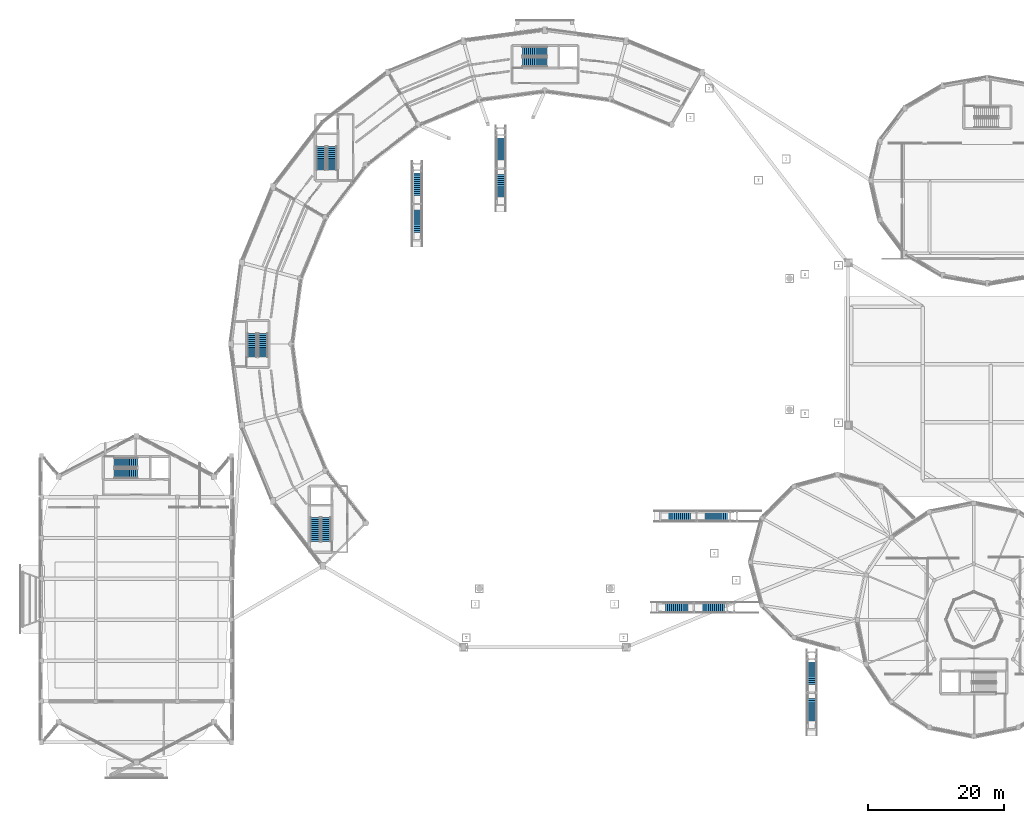
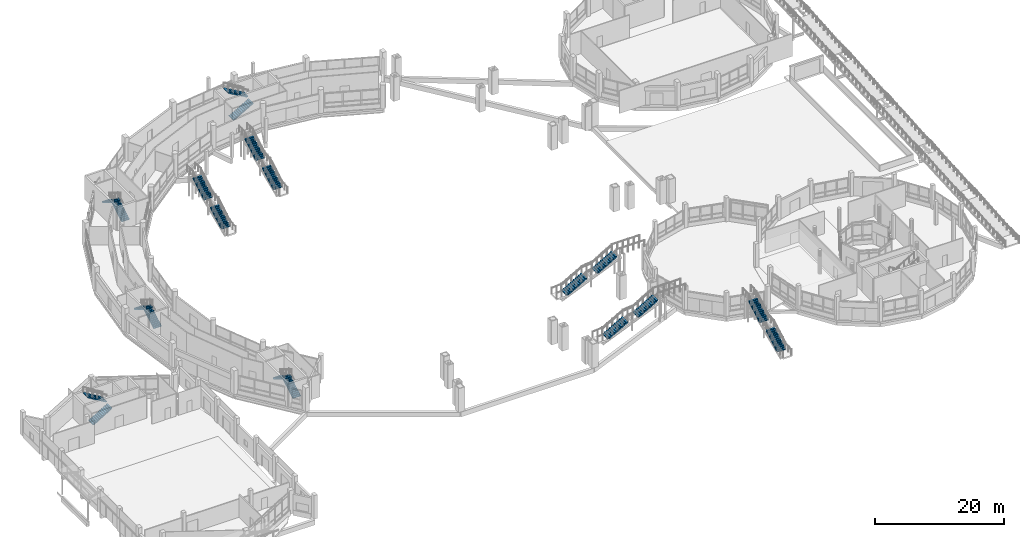
# One storey, part 114 of 129: 20 stair flights, 10 elements without a shape of their own.
"""IFC4 building model written with IfcOpenShell, lengths in metres."""

from ifc_helpers import new_model, si_unit, direction, frame, origin, place, context, subcontext, project, spatial, polyline, outline, extrude, material, type_object, element, aggregate, save


model = new_model("IFC4")

# Units and contexts
model_context = context("Model", 3, precision=1e-05, world=origin(), true_north=direction((0.0, 1.0)))
body_context = subcontext(model_context, "Body", "Model", "MODEL_VIEW")
ifc_project = project(units=[si_unit("LENGTHUNIT", "METRE"), si_unit("AREAUNIT", "SQUARE_METRE"), si_unit("VOLUMEUNIT", "CUBIC_METRE"), si_unit("PLANEANGLEUNIT", "RADIAN"), si_unit("MASSUNIT", "GRAM", prefix="KILO")], contexts=[model_context])

# Site, building, storey
site_placement = place(None, origin())
site = spatial("IfcSite", under=ifc_project, at=site_placement, CompositionType="ELEMENT")
building_placement = place(site_placement, origin())
building = spatial("IfcBuilding", under=site, at=building_placement, Name="Vespera Passage Community Centre", CompositionType="ELEMENT")
storey_placement = place(building_placement, origin())
storey = spatial("IfcBuildingStorey", under=building, at=storey_placement, Name="L00", CompositionType="ELEMENT", Elevation=0.0)

# Stair, stair flights
ifc_material_1 = material(Name="Concrete f'c 35 MPa", Category="concrete")
stair_type_1 = type_object("IfcStairType", Name="ST-STR-155", PredefinedType="STRAIGHT_RUN_STAIR", material=ifc_material_1)
stair_1_placement = place(storey_placement, origin())
stair_1 = element("IfcStair", 1, at=stair_1_placement, inside=storey, type_object=stair_type_1, Name="Courtyard Feature Stair ST-CRT-03", PredefinedType="STRAIGHT_RUN_STAIR")
ifc_material_2 = material(Name="Concrete f'c 35 MPa", Category="concrete")
stair_flight_type_1 = type_object("IfcStairFlightType", Name="STF-STR-155", PredefinedType="STRAIGHT", material=ifc_material_2)
stair_flight_1_placement = place(storey_placement, frame((71.5, 86.800048828125, 0.0), z_axis=(0.0, 0.0, 1.0), x_axis=(0.0, 1.0, 0.0)))
stair_flight_1 = element("IfcStairFlight", 2, at=stair_flight_1_placement, type_object=stair_flight_type_1, Name="ST-STR-155 flight 1", NumberOfRisers=13, NumberOfTreads=12, PredefinedType="STRAIGHT", RiserHeight=0.173076923, TreadLength=0.3, context=body_context, shape_type="SweptSolid", body=[
    extrude(outline(polyline([(0.0, 0.0), (0.0, 0.173095703125), (0.300048828125, 0.173095703125), (0.300048828125, 0.34619140625), (0.60009765625, 0.34619140625), (0.60009765625, 0.519287109375), (0.89990234375, 0.519287109375), (0.89990234375, 0.6923828125), (1.199951171875, 0.6923828125), (1.199951171875, 0.865478515625), (1.5, 0.865478515625), (1.5, 1.03857421875), (1.800048828125, 1.03857421875), (1.800048828125, 1.21142578125), (2.10009765625, 1.21142578125), (2.10009765625, 1.384521484375), (2.39990234375, 1.384521484375), (2.39990234375, 1.5576171875), (2.699951171875, 1.5576171875), (2.699951171875, 1.730712890625), (3.0, 1.730712890625), (3.0, 1.90380859375), (3.300048828125, 1.90380859375), (3.300048828125, 2.076904296875), (3.60009765625, 2.076904296875), (3.60009765625, 2.25), (3.60009765625, 1.869140625), (0.360107421875, 0.0), (0.0, 0.0)])), frame((0.0, 0.77490234375, 0.0), z_axis=(0.0, -1.0, 0.0), x_axis=(1.0, 0.0, 0.0)), (0.0, 0.0, 1.0), 1.550048828125),
])
stair_flight_2_placement = place(storey_placement, frame((71.5, 92.199951171875, 2.25), z_axis=(0.0, 0.0, 1.0), x_axis=(0.0, 1.0, 0.0)))
stair_flight_2 = element("IfcStairFlight", 3, at=stair_flight_2_placement, type_object=stair_flight_type_1, Name="ST-STR-155 flight 2", NumberOfRisers=13, NumberOfTreads=12, PredefinedType="STRAIGHT", RiserHeight=0.173076923, TreadLength=0.3, context=body_context, shape_type="SweptSolid", body=[
    extrude(outline(polyline([(0.0, 0.0), (0.0, 0.173095703125), (0.300048828125, 0.173095703125), (0.300048828125, 0.34619140625), (0.60009765625, 0.34619140625), (0.60009765625, 0.519287109375), (0.89990234375, 0.519287109375), (0.89990234375, 0.6923828125), (1.199951171875, 0.6923828125), (1.199951171875, 0.865478515625), (1.5, 0.865478515625), (1.5, 1.03857421875), (1.800048828125, 1.03857421875), (1.800048828125, 1.21142578125), (2.10009765625, 1.21142578125), (2.10009765625, 1.384521484375), (2.39990234375, 1.384521484375), (2.39990234375, 1.5576171875), (2.699951171875, 1.5576171875), (2.699951171875, 1.730712890625), (3.0, 1.730712890625), (3.0, 1.90380859375), (3.300048828125, 1.90380859375), (3.300048828125, 2.076904296875), (3.60009765625, 2.076904296875), (3.60009765625, 2.25), (3.60009765625, 1.869140625), (0.360107421875, 0.0), (0.0, 0.0)])), frame((0.0, 0.77490234375, 0.0), z_axis=(0.0, -1.0, 0.0), x_axis=(1.0, 0.0, 0.0)), (0.0, 0.0, 1.0), 1.550048828125),
])
aggregate(stair_1, [stair_flight_1, stair_flight_2])

stair_2_placement = place(storey_placement, origin())
stair_2 = element("IfcStair", 4, at=stair_2_placement, inside=storey, type_object=stair_type_1, Name="Courtyard Feature Stair ST-CRT-04", PredefinedType="STRAIGHT_RUN_STAIR")
stair_flight_3_placement = place(storey_placement, frame((59.199951171875, 81.60009765625, 0.0), z_axis=(0.0, 0.0, 1.0), x_axis=(0.0, 1.0, 0.0)))
stair_flight_3 = element("IfcStairFlight", 5, at=stair_flight_3_placement, type_object=stair_flight_type_1, Name="ST-STR-155 flight 1", NumberOfRisers=13, NumberOfTreads=12, PredefinedType="STRAIGHT", RiserHeight=0.173076923, TreadLength=0.3, context=body_context, shape_type="SweptSolid", body=[
    extrude(outline(polyline([(0.0, 0.0), (0.0, 0.173095703125), (0.300048828125, 0.173095703125), (0.300048828125, 0.34619140625), (0.60009765625, 0.34619140625), (0.60009765625, 0.519287109375), (0.89990234375, 0.519287109375), (0.89990234375, 0.6923828125), (1.199951171875, 0.6923828125), (1.199951171875, 0.865478515625), (1.5, 0.865478515625), (1.5, 1.03857421875), (1.800048828125, 1.03857421875), (1.800048828125, 1.21142578125), (2.10009765625, 1.21142578125), (2.10009765625, 1.384521484375), (2.39990234375, 1.384521484375), (2.39990234375, 1.5576171875), (2.699951171875, 1.5576171875), (2.699951171875, 1.730712890625), (3.0, 1.730712890625), (3.0, 1.90380859375), (3.300048828125, 1.90380859375), (3.300048828125, 2.076904296875), (3.60009765625, 2.076904296875), (3.60009765625, 2.25), (3.60009765625, 1.869140625), (0.360107421875, 0.0), (0.0, 0.0)])), frame((0.0, 0.77490234375, 0.0), z_axis=(0.0, -1.0, 0.0), x_axis=(1.0, 0.0, 0.0)), (0.0, 0.0, 1.0), 1.550048828125),
])
stair_flight_4_placement = place(storey_placement, frame((59.199951171875, 87.0, 2.25), z_axis=(0.0, 0.0, 1.0), x_axis=(0.0, 1.0, 0.0)))
stair_flight_4 = element("IfcStairFlight", 6, at=stair_flight_4_placement, type_object=stair_flight_type_1, Name="ST-STR-155 flight 2", NumberOfRisers=13, NumberOfTreads=12, PredefinedType="STRAIGHT", RiserHeight=0.173076923, TreadLength=0.3, context=body_context, shape_type="SweptSolid", body=[
    extrude(outline(polyline([(0.0, 0.0), (0.0, 0.173095703125), (0.300048828125, 0.173095703125), (0.300048828125, 0.34619140625), (0.60009765625, 0.34619140625), (0.60009765625, 0.519287109375), (0.89990234375, 0.519287109375), (0.89990234375, 0.6923828125), (1.199951171875, 0.6923828125), (1.199951171875, 0.865478515625), (1.5, 0.865478515625), (1.5, 1.03857421875), (1.800048828125, 1.03857421875), (1.800048828125, 1.21142578125), (2.10009765625, 1.21142578125), (2.10009765625, 1.384521484375), (2.39990234375, 1.384521484375), (2.39990234375, 1.5576171875), (2.699951171875, 1.5576171875), (2.699951171875, 1.730712890625), (3.0, 1.730712890625), (3.0, 1.90380859375), (3.300048828125, 1.90380859375), (3.300048828125, 2.076904296875), (3.60009765625, 2.076904296875), (3.60009765625, 2.25), (3.60009765625, 1.869140625), (0.360107421875, 0.0), (0.0, 0.0)])), frame((0.0, 0.77490234375, 0.0), z_axis=(0.0, -1.0, 0.0), x_axis=(1.0, 0.0, 0.0)), (0.0, 0.0, 1.0), 1.550048828125),
])
aggregate(stair_2, [stair_flight_3, stair_flight_4])

stair_3_placement = place(storey_placement, origin())
stair_3 = element("IfcStair", 7, at=stair_3_placement, inside=storey, type_object=stair_type_1, Name="Courtyard Feature Stair ST-CRT-05", PredefinedType="STRAIGHT_RUN_STAIR")
stair_flight_5_placement = place(storey_placement, frame((117.199951171875, 9.800048828125, 0.0), z_axis=(0.0, 0.0, 1.0), x_axis=(0.0, 1.0, 0.0)))
stair_flight_5 = element("IfcStairFlight", 8, at=stair_flight_5_placement, type_object=stair_flight_type_1, Name="ST-STR-155 flight 1", NumberOfRisers=13, NumberOfTreads=12, PredefinedType="STRAIGHT", RiserHeight=0.173076923, TreadLength=0.3, context=body_context, shape_type="SweptSolid", body=[
    extrude(outline(polyline([(0.0, 0.0), (0.0, 0.173095703125), (0.300048828125, 0.173095703125), (0.300048828125, 0.34619140625), (0.60009765625, 0.34619140625), (0.60009765625, 0.519287109375), (0.89990234375, 0.519287109375), (0.89990234375, 0.6923828125), (1.199951171875, 0.6923828125), (1.199951171875, 0.865478515625), (1.5, 0.865478515625), (1.5, 1.03857421875), (1.800048828125, 1.03857421875), (1.800048828125, 1.21142578125), (2.10009765625, 1.21142578125), (2.10009765625, 1.384521484375), (2.39990234375, 1.384521484375), (2.39990234375, 1.5576171875), (2.699951171875, 1.5576171875), (2.699951171875, 1.730712890625), (3.0, 1.730712890625), (3.0, 1.90380859375), (3.300048828125, 1.90380859375), (3.300048828125, 2.076904296875), (3.60009765625, 2.076904296875), (3.60009765625, 2.25), (3.60009765625, 1.869140625), (0.360107421875, 0.0), (0.0, 0.0)])), frame((0.0, 0.77490234375, 0.0), z_axis=(0.0, -1.0, 0.0), x_axis=(1.0, 0.0, 0.0)), (0.0, 0.0, 1.0), 1.550048828125),
])
stair_flight_6_placement = place(storey_placement, frame((117.199951171875, 15.199951171875, 2.25), z_axis=(0.0, 0.0, 1.0), x_axis=(0.0, 1.0, 0.0)))
stair_flight_6 = element("IfcStairFlight", 9, at=stair_flight_6_placement, type_object=stair_flight_type_1, Name="ST-STR-155 flight 2", NumberOfRisers=13, NumberOfTreads=12, PredefinedType="STRAIGHT", RiserHeight=0.173076923, TreadLength=0.3, context=body_context, shape_type="SweptSolid", body=[
    extrude(outline(polyline([(0.0, 0.0), (0.0, 0.173095703125), (0.300048828125, 0.173095703125), (0.300048828125, 0.34619140625), (0.60009765625, 0.34619140625), (0.60009765625, 0.519287109375), (0.89990234375, 0.519287109375), (0.89990234375, 0.6923828125), (1.199951171875, 0.6923828125), (1.199951171875, 0.865478515625), (1.5, 0.865478515625), (1.5, 1.03857421875), (1.800048828125, 1.03857421875), (1.800048828125, 1.21142578125), (2.10009765625, 1.21142578125), (2.10009765625, 1.384521484375), (2.39990234375, 1.384521484375), (2.39990234375, 1.5576171875), (2.699951171875, 1.5576171875), (2.699951171875, 1.730712890625), (3.0, 1.730712890625), (3.0, 1.90380859375), (3.300048828125, 1.90380859375), (3.300048828125, 2.076904296875), (3.60009765625, 2.076904296875), (3.60009765625, 2.25), (3.60009765625, 1.869140625), (0.360107421875, 0.0), (0.0, 0.0)])), frame((0.0, 0.77490234375, 0.0), z_axis=(0.0, -1.0, 0.0), x_axis=(1.0, 0.0, 0.0)), (0.0, 0.0, 1.0), 1.550048828125),
])
aggregate(stair_3, [stair_flight_5, stair_flight_6])

ifc_material_3 = material(Name="Concrete f'c 35 MPa", Category="concrete")
stair_type_2 = type_object("IfcStairType", Name="ST-STR-165", PredefinedType="STRAIGHT_RUN_STAIR", material=ifc_material_3)
stair_4_placement = place(storey_placement, origin())
stair_4 = element("IfcStair", 10, at=stair_4_placement, inside=storey, type_object=stair_type_2, Name="Courtyard Feature Stair ST-CRT-01", PredefinedType="STRAIGHT_RUN_STAIR")
ifc_material_4 = material(Name="Concrete f'c 35 MPa", Category="concrete")
stair_flight_type_2 = type_object("IfcStairFlightType", Name="STF-STR-165", PredefinedType="STRAIGHT", material=ifc_material_4)
stair_flight_7_placement = place(storey_placement, frame((95.39990234375, 26.800048828125, 0.0), z_axis=(0.0, 0.0, 1.0), x_axis=(1.0, 0.0, 0.0)))
stair_flight_7 = element("IfcStairFlight", 11, at=stair_flight_7_placement, type_object=stair_flight_type_2, Name="ST-STR-165 flight 1", NumberOfRisers=13, NumberOfTreads=12, PredefinedType="STRAIGHT", RiserHeight=0.173076923, TreadLength=0.3, context=body_context, shape_type="SweptSolid", body=[
    extrude(outline(polyline([(0.0, 0.0), (0.0, 0.173095703125), (0.300048828125, 0.173095703125), (0.300048828125, 0.34619140625), (0.60009765625, 0.34619140625), (0.60009765625, 0.519287109375), (0.89990234375, 0.519287109375), (0.89990234375, 0.6923828125), (1.199951171875, 0.6923828125), (1.199951171875, 0.865478515625), (1.5, 0.865478515625), (1.5, 1.03857421875), (1.800048828125, 1.03857421875), (1.800048828125, 1.21142578125), (2.10009765625, 1.21142578125), (2.10009765625, 1.384521484375), (2.39990234375, 1.384521484375), (2.39990234375, 1.5576171875), (2.699951171875, 1.5576171875), (2.699951171875, 1.730712890625), (3.0, 1.730712890625), (3.0, 1.90380859375), (3.300048828125, 1.90380859375), (3.300048828125, 2.076904296875), (3.60009765625, 2.076904296875), (3.60009765625, 2.25), (3.60009765625, 1.869140625), (0.360107421875, 0.0), (0.0, 0.0)])), frame((0.0, 0.824951171875, 0.0), z_axis=(0.0, -1.0, 0.0), x_axis=(1.0, 0.0, 0.0)), (0.0, 0.0, 1.0), 1.64990234375),
])
stair_flight_8_placement = place(storey_placement, frame((100.800048828125, 26.800048828125, 2.25), z_axis=(0.0, 0.0, 1.0), x_axis=(1.0, 0.0, 0.0)))
stair_flight_8 = element("IfcStairFlight", 12, at=stair_flight_8_placement, type_object=stair_flight_type_2, Name="ST-STR-165 flight 2", NumberOfRisers=13, NumberOfTreads=12, PredefinedType="STRAIGHT", RiserHeight=0.173076923, TreadLength=0.3, context=body_context, shape_type="SweptSolid", body=[
    extrude(outline(polyline([(0.0, 0.0), (0.0, 0.173095703125), (0.300048828125, 0.173095703125), (0.300048828125, 0.34619140625), (0.60009765625, 0.34619140625), (0.60009765625, 0.519287109375), (0.89990234375, 0.519287109375), (0.89990234375, 0.6923828125), (1.199951171875, 0.6923828125), (1.199951171875, 0.865478515625), (1.5, 0.865478515625), (1.5, 1.03857421875), (1.800048828125, 1.03857421875), (1.800048828125, 1.21142578125), (2.10009765625, 1.21142578125), (2.10009765625, 1.384521484375), (2.39990234375, 1.384521484375), (2.39990234375, 1.5576171875), (2.699951171875, 1.5576171875), (2.699951171875, 1.730712890625), (3.0, 1.730712890625), (3.0, 1.90380859375), (3.300048828125, 1.90380859375), (3.300048828125, 2.076904296875), (3.60009765625, 2.076904296875), (3.60009765625, 2.25), (3.60009765625, 1.869140625), (0.360107421875, 0.0), (0.0, 0.0)])), frame((0.0, 0.824951171875, 0.0), z_axis=(0.0, -1.0, 0.0), x_axis=(1.0, 0.0, 0.0)), (0.0, 0.0, 1.0), 1.64990234375),
])
aggregate(stair_4, [stair_flight_7, stair_flight_8])

stair_5_placement = place(storey_placement, origin())
stair_5 = element("IfcStair", 13, at=stair_5_placement, inside=storey, type_object=stair_type_2, Name="Courtyard Feature Stair ST-CRT-02", PredefinedType="STRAIGHT_RUN_STAIR")
stair_flight_9_placement = place(storey_placement, frame((95.800048828125, 40.199951171875, 0.0), z_axis=(0.0, 0.0, 1.0), x_axis=(1.0, 0.0, 0.0)))
stair_flight_9 = element("IfcStairFlight", 14, at=stair_flight_9_placement, type_object=stair_flight_type_2, Name="ST-STR-165 flight 1", NumberOfRisers=13, NumberOfTreads=12, PredefinedType="STRAIGHT", RiserHeight=0.173076923, TreadLength=0.3, context=body_context, shape_type="SweptSolid", body=[
    extrude(outline(polyline([(0.0, 0.0), (0.0, 0.173095703125), (0.300048828125, 0.173095703125), (0.300048828125, 0.34619140625), (0.60009765625, 0.34619140625), (0.60009765625, 0.519287109375), (0.89990234375, 0.519287109375), (0.89990234375, 0.6923828125), (1.199951171875, 0.6923828125), (1.199951171875, 0.865478515625), (1.5, 0.865478515625), (1.5, 1.03857421875), (1.800048828125, 1.03857421875), (1.800048828125, 1.21142578125), (2.10009765625, 1.21142578125), (2.10009765625, 1.384521484375), (2.39990234375, 1.384521484375), (2.39990234375, 1.5576171875), (2.699951171875, 1.5576171875), (2.699951171875, 1.730712890625), (3.0, 1.730712890625), (3.0, 1.90380859375), (3.300048828125, 1.90380859375), (3.300048828125, 2.076904296875), (3.60009765625, 2.076904296875), (3.60009765625, 2.25), (3.60009765625, 1.869140625), (0.360107421875, 0.0), (0.0, 0.0)])), frame((0.0, 0.824951171875, 0.0), z_axis=(0.0, -1.0, 0.0), x_axis=(1.0, 0.0, 0.0)), (0.0, 0.0, 1.0), 1.64990234375),
])
stair_flight_10_placement = place(storey_placement, frame((101.199951171875, 40.199951171875, 2.25), z_axis=(0.0, 0.0, 1.0), x_axis=(1.0, 0.0, 0.0)))
stair_flight_10 = element("IfcStairFlight", 15, at=stair_flight_10_placement, type_object=stair_flight_type_2, Name="ST-STR-165 flight 2", NumberOfRisers=13, NumberOfTreads=12, PredefinedType="STRAIGHT", RiserHeight=0.173076923, TreadLength=0.3, context=body_context, shape_type="SweptSolid", body=[
    extrude(outline(polyline([(0.0, 0.0), (0.0, 0.173095703125), (0.300048828125, 0.173095703125), (0.300048828125, 0.34619140625), (0.60009765625, 0.34619140625), (0.60009765625, 0.519287109375), (0.89990234375, 0.519287109375), (0.89990234375, 0.6923828125), (1.199951171875, 0.6923828125), (1.199951171875, 0.865478515625), (1.5, 0.865478515625), (1.5, 1.03857421875), (1.800048828125, 1.03857421875), (1.800048828125, 1.21142578125), (2.10009765625, 1.21142578125), (2.10009765625, 1.384521484375), (2.39990234375, 1.384521484375), (2.39990234375, 1.5576171875), (2.699951171875, 1.5576171875), (2.699951171875, 1.730712890625), (3.0, 1.730712890625), (3.0, 1.90380859375), (3.300048828125, 1.90380859375), (3.300048828125, 2.076904296875), (3.60009765625, 2.076904296875), (3.60009765625, 2.25), (3.60009765625, 1.869140625), (0.360107421875, 0.0), (0.0, 0.0)])), frame((0.0, 0.824951171875, 0.0), z_axis=(0.0, -1.0, 0.0), x_axis=(1.0, 0.0, 0.0)), (0.0, 0.0, 1.0), 1.64990234375),
])
aggregate(stair_5, [stair_flight_9, stair_flight_10])

ifc_material_5 = material(Name="Concrete f'c 35 MPa", Category="concrete")
stair_type_3 = type_object("IfcStairType", Name="ST-T02", PredefinedType="HALF_TURN_STAIR", material=ifc_material_5)
stair_6_placement = place(storey_placement, origin())
stair_6 = element("IfcStair", 16, at=stair_6_placement, inside=storey, type_object=stair_type_3, Name="L00 Core C1 Exit Stair ST03", PredefinedType="HALF_TURN_STAIR")
ifc_material_6 = material(Name="Concrete f'c 35 MPa", Category="concrete")
stair_flight_type_3 = type_object("IfcStairFlightType", Name="STF-T02", PredefinedType="STRAIGHT", material=ifc_material_6)
stair_flight_11_placement = place(storey_placement, frame((46.73291015625, 91.077880859375, 0.0), z_axis=(0.0, 0.0, 1.0), x_axis=(0.0, 1.0, 0.0)))
stair_flight_11 = element("IfcStairFlight", 17, at=stair_flight_11_placement, type_object=stair_flight_type_3, Name="ST03 flight 1", NumberOfRisers=13, NumberOfTreads=12, PredefinedType="STRAIGHT", RiserHeight=0.173076923, TreadLength=0.285, context=body_context, shape_type="SweptSolid", body=[
    extrude(outline(polyline([(0.0, 0.0), (0.0, 0.173095703125), (0.284912109375, 0.173095703125), (0.284912109375, 0.34619140625), (0.570068359375, 0.34619140625), (0.570068359375, 0.519287109375), (0.85498046875, 0.519287109375), (0.85498046875, 0.6923828125), (1.139892578125, 0.6923828125), (1.139892578125, 0.865478515625), (1.425048828125, 0.865478515625), (1.425048828125, 1.03857421875), (1.7099609375, 1.03857421875), (1.7099609375, 1.21142578125), (1.9951171875, 1.21142578125), (1.9951171875, 1.384521484375), (2.280029296875, 1.384521484375), (2.280029296875, 1.5576171875), (2.56494140625, 1.5576171875), (2.56494140625, 1.730712890625), (2.85009765625, 1.730712890625), (2.85009765625, 1.90380859375), (3.135009765625, 1.90380859375), (3.135009765625, 2.076904296875), (3.419921875, 2.076904296875), (3.419921875, 2.25), (3.419921875, 1.901611328125), (0.288818359375, 0.0), (0.0, 0.0)])), frame((0.0, 0.699951171875, 0.0), z_axis=(0.0, -1.0, 0.0), x_axis=(1.0, 0.0, 0.0)), (0.0, 0.0, 1.0), 1.39990234375),
])
stair_flight_12_placement = place(storey_placement, frame((45.133056640625, 94.498046875, 2.25), z_axis=(0.0, 0.0, 1.0), x_axis=(0.0, -1.0, 0.0)))
stair_flight_12 = element("IfcStairFlight", 18, at=stair_flight_12_placement, type_object=stair_flight_type_3, Name="ST03 flight 2", NumberOfRisers=13, NumberOfTreads=12, PredefinedType="STRAIGHT", RiserHeight=0.173076923, TreadLength=0.285, context=body_context, shape_type="SweptSolid", body=[
    extrude(outline(polyline([(0.0, 0.0), (0.0, 0.173095703125), (0.284912109375, 0.173095703125), (0.284912109375, 0.34619140625), (0.570068359375, 0.34619140625), (0.570068359375, 0.519287109375), (0.85498046875, 0.519287109375), (0.85498046875, 0.6923828125), (1.139892578125, 0.6923828125), (1.139892578125, 0.865478515625), (1.425048828125, 0.865478515625), (1.425048828125, 1.03857421875), (1.7099609375, 1.03857421875), (1.7099609375, 1.21142578125), (1.9951171875, 1.21142578125), (1.9951171875, 1.384521484375), (2.280029296875, 1.384521484375), (2.280029296875, 1.5576171875), (2.56494140625, 1.5576171875), (2.56494140625, 1.730712890625), (2.85009765625, 1.730712890625), (2.85009765625, 1.90380859375), (3.135009765625, 1.90380859375), (3.135009765625, 2.076904296875), (3.419921875, 2.076904296875), (3.419921875, 2.25), (3.419921875, 1.901611328125), (0.288818359375, 0.0), (0.0, 0.0)])), frame((0.0, 0.699951171875, 0.0), z_axis=(0.0, -1.0, 0.0), x_axis=(1.0, 0.0, 0.0)), (0.0, 0.0, 1.0), 1.39990234375),
])
aggregate(stair_6, [stair_flight_11, stair_flight_12])

ifc_material_7 = material(Name="Concrete f'c 35 MPa", Category="concrete")
stair_type_4 = type_object("IfcStairType", Name="ST-T05", PredefinedType="HALF_TURN_STAIR", material=ifc_material_7)
stair_7_placement = place(storey_placement, origin())
stair_7 = element("IfcStair", 19, at=stair_7_placement, inside=storey, type_object=stair_type_4, Name="L00 Core C2 Exit Stair ST04", PredefinedType="HALF_TURN_STAIR")
ifc_material_8 = material(Name="Concrete f'c 35 MPa", Category="concrete")
stair_flight_type_4 = type_object("IfcStairFlightType", Name="STF-T05", PredefinedType="STRAIGHT", material=ifc_material_8)
stair_flight_13_placement = place(storey_placement, frame((36.60009765625, 63.574951171875, 0.0), z_axis=(0.0, 0.0, 1.0), x_axis=(0.0, 1.0, 0.0)))
stair_flight_13 = element("IfcStairFlight", 20, at=stair_flight_13_placement, type_object=stair_flight_type_4, Name="ST04 flight 1", NumberOfRisers=13, NumberOfTreads=12, PredefinedType="STRAIGHT", RiserHeight=0.173076923, TreadLength=0.29, context=body_context, shape_type="SweptSolid", body=[
    extrude(outline(polyline([(0.0, 0.0), (0.0, 0.173095703125), (0.2900390625, 0.173095703125), (0.2900390625, 0.34619140625), (0.580078125, 0.34619140625), (0.580078125, 0.519287109375), (0.8701171875, 0.519287109375), (0.8701171875, 0.6923828125), (1.159912109375, 0.6923828125), (1.159912109375, 0.865478515625), (1.449951171875, 0.865478515625), (1.449951171875, 1.03857421875), (1.739990234375, 1.03857421875), (1.739990234375, 1.21142578125), (2.030029296875, 1.21142578125), (2.030029296875, 1.384521484375), (2.320068359375, 1.384521484375), (2.320068359375, 1.5576171875), (2.610107421875, 1.5576171875), (2.610107421875, 1.730712890625), (2.89990234375, 1.730712890625), (2.89990234375, 1.90380859375), (3.18994140625, 1.90380859375), (3.18994140625, 2.076904296875), (3.47998046875, 2.076904296875), (3.47998046875, 2.25), (3.47998046875, 1.90234375), (0.29248046875, 0.0), (0.0, 0.0)])), frame((0.0, 0.699951171875, 0.0), z_axis=(0.0, -1.0, 0.0), x_axis=(1.0, 0.0, 0.0)), (0.0, 0.0, 1.0), 1.39990234375),
])
stair_flight_14_placement = place(storey_placement, frame((35.0, 67.054931640625, 2.25), z_axis=(0.0, 0.0, 1.0), x_axis=(0.0, -1.0, 0.0)))
stair_flight_14 = element("IfcStairFlight", 21, at=stair_flight_14_placement, type_object=stair_flight_type_4, Name="ST04 flight 2", NumberOfRisers=13, NumberOfTreads=12, PredefinedType="STRAIGHT", RiserHeight=0.173076923, TreadLength=0.29, context=body_context, shape_type="SweptSolid", body=[
    extrude(outline(polyline([(0.0, 0.0), (0.0, 0.173095703125), (0.2900390625, 0.173095703125), (0.2900390625, 0.34619140625), (0.580078125, 0.34619140625), (0.580078125, 0.519287109375), (0.8701171875, 0.519287109375), (0.8701171875, 0.6923828125), (1.159912109375, 0.6923828125), (1.159912109375, 0.865478515625), (1.449951171875, 0.865478515625), (1.449951171875, 1.03857421875), (1.739990234375, 1.03857421875), (1.739990234375, 1.21142578125), (2.030029296875, 1.21142578125), (2.030029296875, 1.384521484375), (2.320068359375, 1.384521484375), (2.320068359375, 1.5576171875), (2.610107421875, 1.5576171875), (2.610107421875, 1.730712890625), (2.89990234375, 1.730712890625), (2.89990234375, 1.90380859375), (3.18994140625, 1.90380859375), (3.18994140625, 2.076904296875), (3.47998046875, 2.076904296875), (3.47998046875, 2.25), (3.47998046875, 1.90234375), (0.29248046875, 0.0), (0.0, 0.0)])), frame((0.0, 0.699951171875, 0.0), z_axis=(0.0, -1.0, 0.0), x_axis=(1.0, 0.0, 0.0)), (0.0, 0.0, 1.0), 1.39990234375),
])
aggregate(stair_7, [stair_flight_13, stair_flight_14])

ifc_material_9 = material(Name="Concrete f'c 35 MPa", Category="concrete")
stair_type_5 = type_object("IfcStairType", Name="ST-T08", PredefinedType="HALF_TURN_STAIR", material=ifc_material_9)
stair_8_placement = place(storey_placement, origin())
stair_8 = element("IfcStair", 22, at=stair_8_placement, inside=storey, type_object=stair_type_5, Name="L00 Core C3 Exit Stair ST05", PredefinedType="HALF_TURN_STAIR")
ifc_material_10 = material(Name="Concrete f'c 35 MPa", Category="concrete")
stair_flight_type_5 = type_object("IfcStairFlightType", Name="STF-T08", PredefinedType="STRAIGHT", material=ifc_material_10)
stair_flight_15_placement = place(storey_placement, frame((45.861083984375, 36.469970703125, 0.0), z_axis=(0.0, 0.0, 1.0), x_axis=(0.0, 1.0, 0.0)))
stair_flight_15 = element("IfcStairFlight", 23, at=stair_flight_15_placement, type_object=stair_flight_type_5, Name="ST05 flight 1", NumberOfRisers=13, NumberOfTreads=12, PredefinedType="STRAIGHT", RiserHeight=0.173076923, TreadLength=0.295, context=body_context, shape_type="SweptSolid", body=[
    extrude(outline(polyline([(0.0, 0.0), (0.0, 0.173095703125), (0.294921875, 0.173095703125), (0.294921875, 0.34619140625), (0.590087890625, 0.34619140625), (0.590087890625, 0.519287109375), (0.885009765625, 0.519287109375), (0.885009765625, 0.6923828125), (1.179931640625, 0.6923828125), (1.179931640625, 0.865478515625), (1.47509765625, 0.865478515625), (1.47509765625, 1.03857421875), (1.77001953125, 1.03857421875), (1.77001953125, 1.21142578125), (2.06494140625, 1.21142578125), (2.06494140625, 1.384521484375), (2.360107421875, 1.384521484375), (2.360107421875, 1.5576171875), (2.655029296875, 1.5576171875), (2.655029296875, 1.730712890625), (2.949951171875, 1.730712890625), (2.949951171875, 1.90380859375), (3.2451171875, 1.90380859375), (3.2451171875, 2.076904296875), (3.5400390625, 2.076904296875), (3.5400390625, 2.25), (3.5400390625, 1.903076171875), (0.296142578125, 0.0), (0.0, 0.0)])), frame((0.0, 0.699951171875, 0.0), z_axis=(0.0, -1.0, 0.0), x_axis=(1.0, 0.0, 0.0)), (0.0, 0.0, 1.0), 1.39990234375),
])
stair_flight_16_placement = place(storey_placement, frame((44.260986328125, 40.010009765625, 2.25), z_axis=(0.0, 0.0, 1.0), x_axis=(0.0, -1.0, 0.0)))
stair_flight_16 = element("IfcStairFlight", 24, at=stair_flight_16_placement, type_object=stair_flight_type_5, Name="ST05 flight 2", NumberOfRisers=13, NumberOfTreads=12, PredefinedType="STRAIGHT", RiserHeight=0.173076923, TreadLength=0.295, context=body_context, shape_type="SweptSolid", body=[
    extrude(outline(polyline([(0.0, 0.0), (0.0, 0.173095703125), (0.294921875, 0.173095703125), (0.294921875, 0.34619140625), (0.590087890625, 0.34619140625), (0.590087890625, 0.519287109375), (0.885009765625, 0.519287109375), (0.885009765625, 0.6923828125), (1.179931640625, 0.6923828125), (1.179931640625, 0.865478515625), (1.47509765625, 0.865478515625), (1.47509765625, 1.03857421875), (1.77001953125, 1.03857421875), (1.77001953125, 1.21142578125), (2.06494140625, 1.21142578125), (2.06494140625, 1.384521484375), (2.360107421875, 1.384521484375), (2.360107421875, 1.5576171875), (2.655029296875, 1.5576171875), (2.655029296875, 1.730712890625), (2.949951171875, 1.730712890625), (2.949951171875, 1.90380859375), (3.2451171875, 1.90380859375), (3.2451171875, 2.076904296875), (3.5400390625, 2.076904296875), (3.5400390625, 2.25), (3.5400390625, 1.903076171875), (0.296142578125, 0.0), (0.0, 0.0)])), frame((0.0, 0.699951171875, 0.0), z_axis=(0.0, -1.0, 0.0), x_axis=(1.0, 0.0, 0.0)), (0.0, 0.0, 1.0), 1.39990234375),
])
aggregate(stair_8, [stair_flight_15, stair_flight_16])

ifc_material_11 = material(Name="Concrete f'c 35 MPa", Category="concrete")
stair_type_6 = type_object("IfcStairType", Name="ST-T11", PredefinedType="HALF_TURN_STAIR", material=ifc_material_11)
stair_9_placement = place(storey_placement, origin())
stair_9 = element("IfcStair", 25, at=stair_9_placement, inside=storey, type_object=stair_type_6, Name="L00 Core C4 Exit Stair ST06", PredefinedType="HALF_TURN_STAIR")
ifc_material_12 = material(Name="Concrete f'c 35 MPa", Category="concrete")
stair_flight_type_6 = type_object("IfcStairFlightType", Name="STF-T11", PredefinedType="STRAIGHT", material=ifc_material_12)
stair_flight_17_placement = place(storey_placement, frame((74.705078125, 106.89990234375, 0.0), z_axis=(0.0, 0.0, 1.0), x_axis=(1.0, 0.0, 0.0)))
stair_flight_17 = element("IfcStairFlight", 26, at=stair_flight_17_placement, type_object=stair_flight_type_6, Name="ST06 flight 1", NumberOfRisers=13, NumberOfTreads=12, PredefinedType="STRAIGHT", RiserHeight=0.173076923, TreadLength=0.3, context=body_context, shape_type="SweptSolid", body=[
    extrude(outline(polyline([(0.0, 0.0), (0.0, 0.173095703125), (0.300048828125, 0.173095703125), (0.300048828125, 0.34619140625), (0.60009765625, 0.34619140625), (0.60009765625, 0.519287109375), (0.89990234375, 0.519287109375), (0.89990234375, 0.6923828125), (1.199951171875, 0.6923828125), (1.199951171875, 0.865478515625), (1.5, 0.865478515625), (1.5, 1.03857421875), (1.800048828125, 1.03857421875), (1.800048828125, 1.21142578125), (2.10009765625, 1.21142578125), (2.10009765625, 1.384521484375), (2.39990234375, 1.384521484375), (2.39990234375, 1.5576171875), (2.699951171875, 1.5576171875), (2.699951171875, 1.730712890625), (3.0, 1.730712890625), (3.0, 1.90380859375), (3.300048828125, 1.90380859375), (3.300048828125, 2.076904296875), (3.60009765625, 2.076904296875), (3.60009765625, 2.25), (3.60009765625, 1.90380859375), (0.300048828125, 0.0), (0.0, 0.0)])), frame((0.0, 0.699951171875, 0.0), z_axis=(0.0, -1.0, 0.0), x_axis=(1.0, 0.0, 0.0)), (0.0, 0.0, 1.0), 1.39990234375),
])
stair_flight_18_placement = place(storey_placement, frame((78.304931640625, 108.5, 2.25), z_axis=(0.0, 0.0, 1.0), x_axis=(-1.0, 0.0, 0.0)))
stair_flight_18 = element("IfcStairFlight", 27, at=stair_flight_18_placement, type_object=stair_flight_type_6, Name="ST06 flight 2", NumberOfRisers=13, NumberOfTreads=12, PredefinedType="STRAIGHT", RiserHeight=0.173076923, TreadLength=0.3, context=body_context, shape_type="SweptSolid", body=[
    extrude(outline(polyline([(0.0, 0.0), (0.0, 0.173095703125), (0.300048828125, 0.173095703125), (0.300048828125, 0.34619140625), (0.60009765625, 0.34619140625), (0.60009765625, 0.519287109375), (0.89990234375, 0.519287109375), (0.89990234375, 0.6923828125), (1.199951171875, 0.6923828125), (1.199951171875, 0.865478515625), (1.5, 0.865478515625), (1.5, 1.03857421875), (1.800048828125, 1.03857421875), (1.800048828125, 1.21142578125), (2.10009765625, 1.21142578125), (2.10009765625, 1.384521484375), (2.39990234375, 1.384521484375), (2.39990234375, 1.5576171875), (2.699951171875, 1.5576171875), (2.699951171875, 1.730712890625), (3.0, 1.730712890625), (3.0, 1.90380859375), (3.300048828125, 1.90380859375), (3.300048828125, 2.076904296875), (3.60009765625, 2.076904296875), (3.60009765625, 2.25), (3.60009765625, 1.90380859375), (0.300048828125, 0.0), (0.0, 0.0)])), frame((0.0, 0.699951171875, 0.0), z_axis=(0.0, -1.0, 0.0), x_axis=(1.0, 0.0, 0.0)), (0.0, 0.0, 1.0), 1.39990234375),
])
aggregate(stair_9, [stair_flight_17, stair_flight_18])

ifc_material_13 = material(Name="Concrete f'c 35 MPa", Category="concrete")
stair_type_7 = type_object("IfcStairType", Name="ST-T14", PredefinedType="HALF_TURN_STAIR", material=ifc_material_13)
stair_10_placement = place(storey_placement, origin())
stair_10 = element("IfcStair", 28, at=stair_10_placement, inside=storey, type_object=stair_type_7, Name="L00 Core C5 Exit Stair ST01", PredefinedType="HALF_TURN_STAIR")
ifc_material_14 = material(Name="Concrete f'c 35 MPa", Category="concrete")
stair_flight_type_7 = type_object("IfcStairFlightType", Name="STF-T14", PredefinedType="STRAIGHT", material=ifc_material_14)
stair_flight_19_placement = place(storey_placement, frame((14.72509765625, 46.489990234375, 0.0), z_axis=(0.0, 0.0, 1.0), x_axis=(1.0, 0.0, 0.0)))
stair_flight_19 = element("IfcStairFlight", 29, at=stair_flight_19_placement, type_object=stair_flight_type_7, Name="ST01 flight 1", NumberOfRisers=13, NumberOfTreads=12, PredefinedType="STRAIGHT", RiserHeight=0.173076923, TreadLength=0.285, context=body_context, shape_type="SweptSolid", body=[
    extrude(outline(polyline([(0.0, 0.0), (0.0, 0.173095703125), (0.284912109375, 0.173095703125), (0.284912109375, 0.34619140625), (0.570068359375, 0.34619140625), (0.570068359375, 0.519287109375), (0.85498046875, 0.519287109375), (0.85498046875, 0.6923828125), (1.139892578125, 0.6923828125), (1.139892578125, 0.865478515625), (1.425048828125, 0.865478515625), (1.425048828125, 1.03857421875), (1.7099609375, 1.03857421875), (1.7099609375, 1.21142578125), (1.9951171875, 1.21142578125), (1.9951171875, 1.384521484375), (2.280029296875, 1.384521484375), (2.280029296875, 1.5576171875), (2.56494140625, 1.5576171875), (2.56494140625, 1.730712890625), (2.85009765625, 1.730712890625), (2.85009765625, 1.90380859375), (3.135009765625, 1.90380859375), (3.135009765625, 2.076904296875), (3.419921875, 2.076904296875), (3.419921875, 2.25), (3.419921875, 1.901611328125), (0.288818359375, 0.0), (0.0, 0.0)])), frame((0.0, 0.7099609375, 0.0), z_axis=(0.0, -1.0, 0.0), x_axis=(1.0, 0.0, 0.0)), (0.0, 0.0, 1.0), 1.419921875),
])
stair_flight_20_placement = place(storey_placement, frame((18.14501953125, 48.110107421875, 2.25), z_axis=(0.0, 0.0, 1.0), x_axis=(-1.0, 0.0, 0.0)))
stair_flight_20 = element("IfcStairFlight", 30, at=stair_flight_20_placement, type_object=stair_flight_type_7, Name="ST01 flight 2", NumberOfRisers=13, NumberOfTreads=12, PredefinedType="STRAIGHT", RiserHeight=0.173076923, TreadLength=0.285, context=body_context, shape_type="SweptSolid", body=[
    extrude(outline(polyline([(0.0, 0.0), (0.0, 0.173095703125), (0.284912109375, 0.173095703125), (0.284912109375, 0.34619140625), (0.570068359375, 0.34619140625), (0.570068359375, 0.519287109375), (0.85498046875, 0.519287109375), (0.85498046875, 0.6923828125), (1.139892578125, 0.6923828125), (1.139892578125, 0.865478515625), (1.425048828125, 0.865478515625), (1.425048828125, 1.03857421875), (1.7099609375, 1.03857421875), (1.7099609375, 1.21142578125), (1.9951171875, 1.21142578125), (1.9951171875, 1.384521484375), (2.280029296875, 1.384521484375), (2.280029296875, 1.5576171875), (2.56494140625, 1.5576171875), (2.56494140625, 1.730712890625), (2.85009765625, 1.730712890625), (2.85009765625, 1.90380859375), (3.135009765625, 1.90380859375), (3.135009765625, 2.076904296875), (3.419921875, 2.076904296875), (3.419921875, 2.25), (3.419921875, 1.901611328125), (0.288818359375, 0.0), (0.0, 0.0)])), frame((0.0, 0.7099609375, 0.0), z_axis=(0.0, -1.0, 0.0), x_axis=(1.0, 0.0, 0.0)), (0.0, 0.0, 1.0), 1.419921875),
])
aggregate(stair_10, [stair_flight_19, stair_flight_20])

save(model, "model.ifc")
